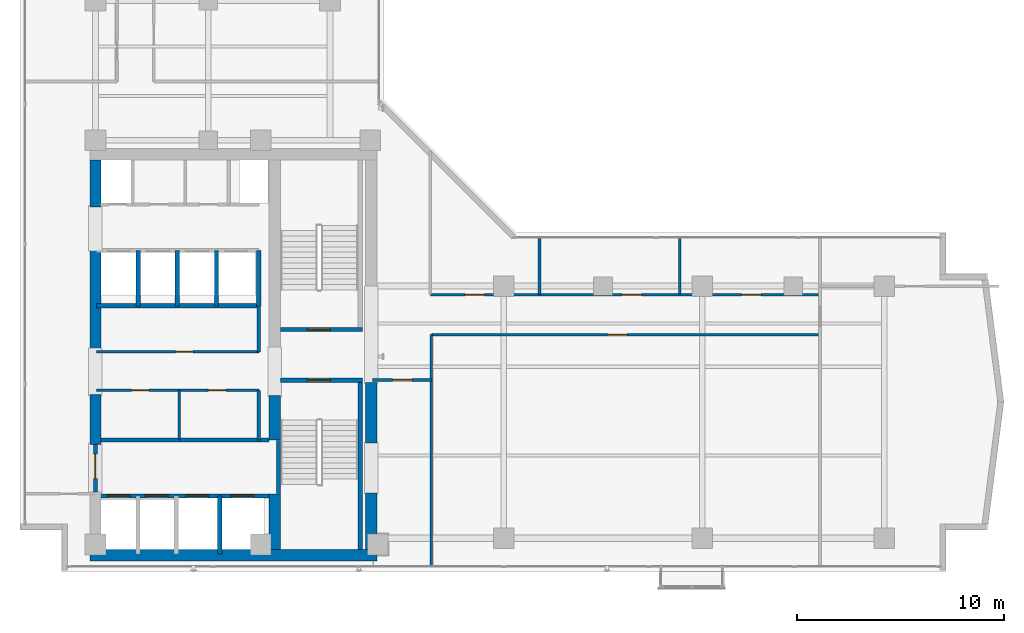
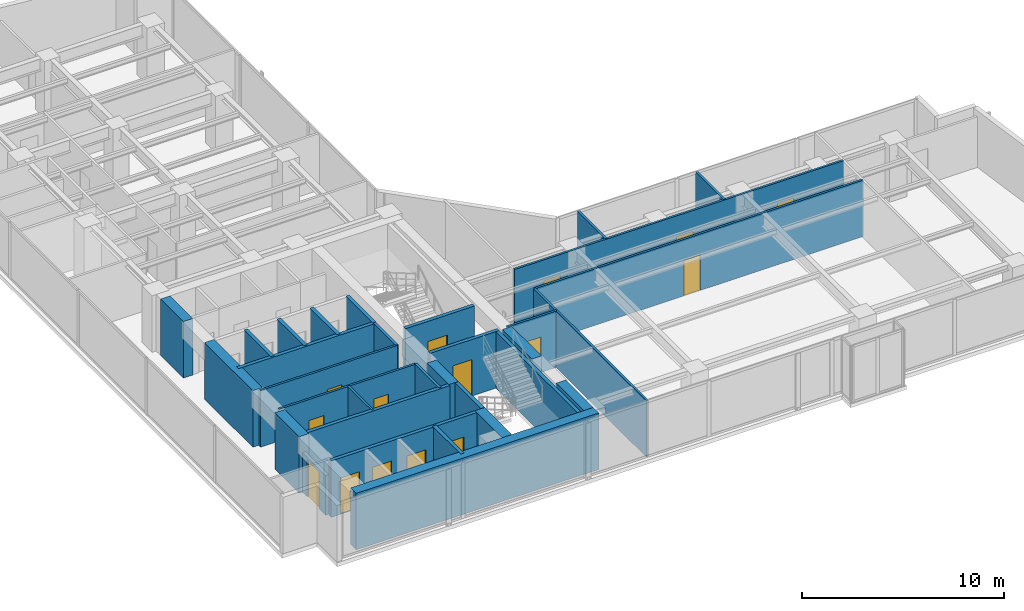
# One storey, part 17 of 24: 32 walls, 15 doors, 15 openings.
"""IFC4 building model written with IfcOpenShell, lengths in metres."""

from ifc_helpers import new_model, si_unit, direction, frame, frame_2d, origin, place, context, subcontext, project, spatial, rectangle, extrude, material, layer, layer_set, type_object, element, fill, save


model = new_model("IFC4")

# Units and contexts
model_context = context("Model", 3, precision=1e-05, world=origin(), true_north=direction((0.0, 1.0)))
body_context = subcontext(model_context, "Body", "Model", "MODEL_VIEW")
ifc_project = project(units=[si_unit("LENGTHUNIT", "METRE"), si_unit("AREAUNIT", "SQUARE_METRE"), si_unit("VOLUMEUNIT", "CUBIC_METRE"), si_unit("PLANEANGLEUNIT", "RADIAN"), si_unit("MASSUNIT", "GRAM", prefix="KILO")], contexts=[model_context])

# Site, building, storey
site_placement = place(None, origin())
site = spatial("IfcSite", under=ifc_project, at=site_placement, CompositionType="ELEMENT")
building_placement = place(site_placement, origin())
building = spatial("IfcBuilding", under=site, at=building_placement, Name="Kolvaren Waterfront Exchange", CompositionType="ELEMENT")
storey_placement = place(building_placement, frame((0.0, 0.0, 253.89990234375)))
storey = spatial("IfcBuildingStorey", under=building, at=storey_placement, Name="L65", CompositionType="ELEMENT", Elevation=253.89990234375)

# Wall, opening, door
ifc_material_1 = material(Name="Precast concrete C40/50", Category="concrete")
ifc_layer_1 = layer(ifc_material_1, 0.199951171875, Name="Precast concrete C40/50")
ifc_layer_set_1 = layer_set([ifc_layer_1], Name="Precast concrete C40/50")
wall_type_1 = type_object("IfcWallType", Name="ARC-FIRE-200", PredefinedType="PARTITIONING", material=ifc_layer_set_1)
wall_1_placement = place(storey_placement, frame((16.39990234375, 12.85009765625, 0.0), z_axis=(0.0, 0.0, 1.0), x_axis=(1.0, 0.0, 0.0)))
wall_1 = element("IfcWall", 1, at=wall_1_placement, inside=storey, type_object=wall_type_1, Name="L65 interior wall PW-L65-ST1-THROAT-S", PredefinedType="PARTITIONING", context=body_context, shape_type="SweptSolid", body=[
    extrude(rectangle(XDim=3.960205078125, YDim=0.199951171875, at=frame_2d((1.97998046875, 0.0))), origin(), (0.0, 0.0, 1.0), 3.420166015625),
])
opening_1_placement = place(wall_1_placement, frame((1.3037109375, 0.0, 0.0)))
opening_1 = element("IfcOpeningElement", 2, at=opening_1_placement, cuts=wall_1, Name="Opening FD2", PredefinedType="OPENING", context=body_context, shape_type="SweptSolid", body=[
    extrude(rectangle(XDim=1.10009765625, YDim=2.199951171875, at=frame_2d((0.550048828125, 1.10009765625))), frame((0.0, 0.10986328125, 0.0), z_axis=(0.0, -1.0, 0.0), x_axis=(1.0, 0.0, 0.0)), (0.0, 0.0, 1.0), 0.219970703125),
])
ifc_material_2 = material(Name="Pressed steel smoke-seal fire door", Category="steel")
door_type_1 = type_object("IfcDoorType", Name="ARC-FD-1100", OperationType="NOTDEFINED", PredefinedType="DOOR", material=ifc_material_2)
door_1_placement = place(opening_1_placement, frame((1.10009765625, 0.0, 0.0), z_axis=(0.0, 0.0, 1.0), x_axis=(-1.0, 0.0, 0.0)))
door_1 = element("IfcDoor", 3, at=door_1_placement, inside=storey, type_object=door_type_1, Name="L65 door DR-L65-ST1-IN (FD2)", OperationType="SINGLE_SWING_LEFT", OverallHeight=2.199951171875, OverallWidth=1.10009765625, PredefinedType="DOOR", context=body_context, shape_type="SweptSolid", body=[
    extrude(rectangle(XDim=1.10009765625, YDim=2.199951171875, at=frame_2d((0.550048828125, 1.10009765625))), frame((0.0, 0.02490234375, 0.0), z_axis=(0.0, -1.0, 0.0), x_axis=(1.0, 0.0, 0.0)), (0.0, 0.0, 1.0), 0.050048828125),
])
fill(opening_1, door_1)

wall_2_placement = place(storey_placement, frame((16.409912109375, 15.300048828125, 0.0), z_axis=(0.0, 0.0, 1.0), x_axis=(1.0, 0.0, 0.0)))
wall_2 = element("IfcWall", 4, at=wall_2_placement, inside=storey, type_object=wall_type_1, Name="L65 interior wall PW-L65-ST2-THROAT-N", PredefinedType="PARTITIONING", context=body_context, shape_type="SweptSolid", body=[
    extrude(rectangle(XDim=3.9501953125, YDim=0.199951171875, at=frame_2d((1.97509765625, 0.0))), origin(), (0.0, 0.0, 1.0), 3.420166015625),
])
opening_2_placement = place(wall_2_placement, frame((1.293701171875, 0.0, 0.0)))
opening_2 = element("IfcOpeningElement", 5, at=opening_2_placement, cuts=wall_2, Name="Opening FD2", PredefinedType="OPENING", context=body_context, shape_type="SweptSolid", body=[
    extrude(rectangle(XDim=1.10009765625, YDim=2.199951171875, at=frame_2d((0.550048828125, 1.10009765625))), frame((0.0, 0.10986328125, 0.0), z_axis=(0.0, -1.0, 0.0), x_axis=(1.0, 0.0, 0.0)), (0.0, 0.0, 1.0), 0.219970703125),
])
door_2_placement = place(opening_2_placement, origin())
door_2 = element("IfcDoor", 6, at=door_2_placement, inside=storey, type_object=door_type_1, Name="L65 door DR-L65-ST2-IN (FD2)", OperationType="SINGLE_SWING_RIGHT", OverallHeight=2.199951171875, OverallWidth=1.10009765625, PredefinedType="DOOR", context=body_context, shape_type="SweptSolid", body=[
    extrude(rectangle(XDim=1.10009765625, YDim=2.199951171875, at=frame_2d((0.550048828125, 1.10009765625))), frame((0.0, 0.02490234375, 0.0), z_axis=(0.0, -1.0, 0.0), x_axis=(1.0, 0.0, 0.0)), (0.0, 0.0, 1.0), 0.050048828125),
])
fill(opening_2, door_2)

# Wall
wall_3_placement = place(storey_placement, frame((7.5, 9.949951171875, 0.0), z_axis=(0.0, 0.0, 1.0), x_axis=(1.0, 0.0, 0.0)))
element("IfcWall", 7, at=wall_3_placement, inside=storey, type_object=wall_type_1, Name="L65 interior wall PW-L65-FF-N", PredefinedType="PARTITIONING", context=body_context, shape_type="SweptSolid", body=[
    extrude(rectangle(XDim=8.35009765625, YDim=0.199951171875, at=frame_2d((4.175048828125, 0.0))), origin(), (0.0, 0.0, 1.0), 3.420166015625),
])

# Wall, opening, door
wall_4_placement = place(storey_placement, frame((7.449951171875, 7.449951171875, 0.0), z_axis=(0.0, 0.0, 1.0), x_axis=(0.0, 1.0, 0.0)))
wall_4 = element("IfcWall", 8, at=wall_4_placement, inside=storey, type_object=wall_type_1, Name="L65 interior wall PW-L65-FF-W-DOOR", PredefinedType="PARTITIONING", context=body_context, shape_type="SweptSolid", body=[
    extrude(rectangle(XDim=2.300048828125, YDim=0.199951171875, at=frame_2d((1.14990234375, 0.0))), origin(), (0.0, 0.0, 1.0), 2.400146484375),
])
opening_3_placement = place(wall_4_placement, frame((0.63330078125, 0.0, 0.0)))
opening_3 = element("IfcOpeningElement", 9, at=opening_3_placement, cuts=wall_4, Name="Opening FD3", PredefinedType="OPENING", context=body_context, shape_type="SweptSolid", body=[
    extrude(rectangle(XDim=1.199951171875, YDim=2.25, at=frame_2d((0.60009765625, 1.125))), frame((0.0, 0.10986328125, 0.0), z_axis=(0.0, -1.0, 0.0), x_axis=(1.0, 0.0, 0.0)), (0.0, 0.0, 1.0), 0.219970703125),
])
ifc_material_3 = material(Name="Pressed steel fire door", Category="steel")
door_type_2 = type_object("IfcDoorType", Name="ARC-FD-1200", OperationType="NOTDEFINED", PredefinedType="DOOR", material=ifc_material_3)
door_3_placement = place(opening_3_placement, frame((1.199951171875, 0.0, 0.0), z_axis=(0.0, 0.0, 1.0), x_axis=(-1.0, 0.0, 0.0)))
door_3 = element("IfcDoor", 10, at=door_3_placement, inside=storey, type_object=door_type_2, Name="L65 door DR-L65-FF-OUT (FD3)", OperationType="SINGLE_SWING_LEFT", OverallHeight=2.25, OverallWidth=1.199951171875, PredefinedType="DOOR", context=body_context, shape_type="SweptSolid", body=[
    extrude(rectangle(XDim=1.199951171875, YDim=2.25, at=frame_2d((0.60009765625, 1.125))), frame((0.0, 0.02490234375, 0.0), z_axis=(0.0, -1.0, 0.0), x_axis=(1.0, 0.0, 0.0)), (0.0, 0.0, 1.0), 0.050048828125),
])
fill(opening_3, door_3)

# Wall, openings, doors
ifc_material_4 = material(Name="Acoustic gypsum steel stud", Category="steel")
ifc_layer_2 = layer(ifc_material_4, 0.125, Name="Acoustic gypsum steel stud")
ifc_layer_set_2 = layer_set([ifc_layer_2], Name="Acoustic gypsum steel stud")
wall_type_2 = type_object("IfcWallType", Name="ARC-PART-125", PredefinedType="PARTITIONING", material=ifc_layer_set_2)
wall_5_placement = place(storey_placement, frame((7.5, 12.360107421875, 0.0), z_axis=(0.0, 0.0, 1.0), x_axis=(1.0, 0.0, 0.0)))
wall_5 = element("IfcWall", 11, at=wall_5_placement, inside=storey, type_object=wall_type_2, Name="L65 interior wall PW-L65-REC-HI-S", PredefinedType="PARTITIONING", context=body_context, shape_type="SweptSolid", body=[
    extrude(rectangle(XDim=7.85009765625, YDim=0.125, at=frame_2d((3.925048828125, 0.0))), origin(), (0.0, 0.0, 1.0), 3.420166015625),
])
opening_4_placement = place(wall_5_placement, frame((1.699951171875, 0.0, 0.0)))
opening_4 = element("IfcOpeningElement", 12, at=opening_4_placement, cuts=wall_5, Name="Opening D01", PredefinedType="OPENING", context=body_context, shape_type="SweptSolid", body=[
    extrude(rectangle(XDim=0.85009765625, YDim=2.14990234375, at=frame_2d((0.425048828125, 1.074951171875))), frame((0.0, 0.072509765625, 0.0), z_axis=(0.0, -1.0, 0.0), x_axis=(1.0, 0.0, 0.0)), (0.0, 0.0, 1.0), 0.14501953125),
])
opening_5_placement = place(wall_5_placement, frame((5.41259765625, 0.0, 0.0)))
opening_5 = element("IfcOpeningElement", 13, at=opening_5_placement, cuts=wall_5, Name="Opening D01", PredefinedType="OPENING", context=body_context, shape_type="SweptSolid", body=[
    extrude(rectangle(XDim=0.85009765625, YDim=2.14990234375, at=frame_2d((0.425048828125, 1.074951171875))), frame((0.0, 0.072509765625, 0.0), z_axis=(0.0, -1.0, 0.0), x_axis=(1.0, 0.0, 0.0)), (0.0, 0.0, 1.0), 0.14501953125),
])
ifc_material_5 = material(Name="Oak veneer timber leaf", Category="wood")
door_type_3 = type_object("IfcDoorType", Name="ARC-DR-900", OperationType="NOTDEFINED", PredefinedType="DOOR", material=ifc_material_5)
door_4_placement = place(opening_4_placement, origin())
door_4 = element("IfcDoor", 14, at=door_4_placement, inside=storey, type_object=door_type_3, Name="L65 door DR-L65-REC-HI-D1 (D01)", OperationType="SINGLE_SWING_RIGHT", OverallHeight=2.14990234375, OverallWidth=0.85009765625, PredefinedType="DOOR", context=body_context, shape_type="SweptSolid", body=[
    extrude(rectangle(XDim=0.85009765625, YDim=2.14990234375, at=frame_2d((0.425048828125, 1.074951171875))), frame((0.0, 0.02490234375, 0.0), z_axis=(0.0, -1.0, 0.0), x_axis=(1.0, 0.0, 0.0)), (0.0, 0.0, 1.0), 0.050048828125),
])
fill(opening_4, door_4)
door_5_placement = place(opening_5_placement, origin())
door_5 = element("IfcDoor", 15, at=door_5_placement, inside=storey, type_object=door_type_3, Name="L65 door DR-L65-REC-HI-D2 (D01)", OperationType="SINGLE_SWING_LEFT", OverallHeight=2.14990234375, OverallWidth=0.85009765625, PredefinedType="DOOR", context=body_context, shape_type="SweptSolid", body=[
    extrude(rectangle(XDim=0.85009765625, YDim=2.14990234375, at=frame_2d((0.425048828125, 1.074951171875))), frame((0.0, 0.02490234375, 0.0), z_axis=(0.0, -1.0, 0.0), x_axis=(1.0, 0.0, 0.0)), (0.0, 0.0, 1.0), 0.050048828125),
])
fill(opening_5, door_5)

# Wall, opening, door
wall_6_placement = place(storey_placement, frame((7.5, 14.219970703125, 0.0), z_axis=(0.0, 0.0, 1.0), x_axis=(1.0, 0.0, 0.0)))
wall_6 = element("IfcWall", 16, at=wall_6_placement, inside=storey, type_object=wall_type_2, Name="L65 interior wall PW-L65-REC-HI-N", PredefinedType="PARTITIONING", context=body_context, shape_type="SweptSolid", body=[
    extrude(rectangle(XDim=7.85009765625, YDim=0.125, at=frame_2d((3.925048828125, 0.0))), origin(), (0.0, 0.0, 1.0), 3.420166015625),
])
opening_6_placement = place(wall_6_placement, frame((3.824951171875, 0.0, 0.0)))
opening_6 = element("IfcOpeningElement", 17, at=opening_6_placement, cuts=wall_6, Name="Opening D01", PredefinedType="OPENING", context=body_context, shape_type="SweptSolid", body=[
    extrude(rectangle(XDim=0.85009765625, YDim=2.14990234375, at=frame_2d((0.425048828125, 1.074951171875))), frame((0.0, 0.072509765625, 0.0), z_axis=(0.0, -1.0, 0.0), x_axis=(1.0, 0.0, 0.0)), (0.0, 0.0, 1.0), 0.14501953125),
])
door_6_placement = place(opening_6_placement, origin())
door_6 = element("IfcDoor", 18, at=door_6_placement, inside=storey, type_object=door_type_3, Name="L65 door DR-L65-REC-HI-D3 (D01)", OperationType="SINGLE_SWING_RIGHT", OverallHeight=2.14990234375, OverallWidth=0.85009765625, PredefinedType="DOOR", context=body_context, shape_type="SweptSolid", body=[
    extrude(rectangle(XDim=0.85009765625, YDim=2.14990234375, at=frame_2d((0.425048828125, 1.074951171875))), frame((0.0, 0.02490234375, 0.0), z_axis=(0.0, -1.0, 0.0), x_axis=(1.0, 0.0, 0.0)), (0.0, 0.0, 1.0), 0.050048828125),
])
fill(opening_6, door_6)

# Wall
wall_7_placement = place(storey_placement, frame((11.5, 9.949951171875, 0.0), z_axis=(0.0, 0.0, 1.0), x_axis=(0.0, 1.0, 0.0)))
element("IfcWall", 19, at=wall_7_placement, inside=storey, type_object=wall_type_2, Name="L65 interior wall PW-L65-REC-HI-MS1", PredefinedType="PARTITIONING", context=body_context, shape_type="SweptSolid", body=[
    extrude(rectangle(XDim=2.41015625, YDim=0.125, at=frame_2d((1.205078125, 0.0))), origin(), (0.0, 0.0, 1.0), 3.420166015625),
])

# Wall, opening, door
wall_8_placement = place(storey_placement, frame((20.85009765625, 12.860107421875, 0.0), z_axis=(0.0, 0.0, 1.0), x_axis=(1.0, 0.0, 0.0)))
wall_8 = element("IfcWall", 20, at=wall_8_placement, inside=storey, type_object=wall_type_2, Name="L65 interior wall PW-L65-SWST3-N", PredefinedType="PARTITIONING", context=body_context, shape_type="SweptSolid", body=[
    extrude(rectangle(XDim=2.849853515625, YDim=0.125, at=frame_2d((1.4248046875, 0.0))), origin(), (0.0, 0.0, 1.0), 3.420166015625),
])
opening_7_placement = place(wall_8_placement, frame((0.971435546875, 0.0, 0.0)))
opening_7 = element("IfcOpeningElement", 21, at=opening_7_placement, cuts=wall_8, Name="Opening D02", PredefinedType="OPENING", context=body_context, shape_type="SweptSolid", body=[
    extrude(rectangle(XDim=0.949951171875, YDim=2.14990234375, at=frame_2d((0.47509765625, 1.074951171875))), frame((0.0, 0.072509765625, 0.0), z_axis=(0.0, -1.0, 0.0), x_axis=(1.0, 0.0, 0.0)), (0.0, 0.0, 1.0), 0.14501953125),
])
ifc_material_6 = material(Name="Oak veneer acoustic timber", Category="wood")
door_type_4 = type_object("IfcDoorType", Name="ARC-DR-950", OperationType="NOTDEFINED", PredefinedType="DOOR", material=ifc_material_6)
door_7_placement = place(opening_7_placement, origin())
door_7 = element("IfcDoor", 22, at=door_7_placement, inside=storey, type_object=door_type_4, Name="L65 door DR-L65-SWST3-D (D02)", OperationType="SINGLE_SWING_LEFT", OverallHeight=2.14990234375, OverallWidth=0.949951171875, PredefinedType="DOOR", context=body_context, shape_type="SweptSolid", body=[
    extrude(rectangle(XDim=0.949951171875, YDim=2.14990234375, at=frame_2d((0.47509765625, 1.074951171875))), frame((0.0, 0.02490234375, 0.0), z_axis=(0.0, -1.0, 0.0), x_axis=(1.0, 0.0, 0.0)), (0.0, 0.0, 1.0), 0.050048828125),
])
fill(opening_7, door_7)

# Wall
wall_9_placement = place(storey_placement, frame((23.699951171875, 3.840087890625, 0.0), z_axis=(0.0, 0.0, 1.0), x_axis=(0.0, 1.0, 0.0)))
element("IfcWall", 23, at=wall_9_placement, inside=storey, type_object=wall_type_2, Name="L65 interior wall PW-L65-ES-W0", PredefinedType="PARTITIONING", context=body_context, shape_type="SweptSolid", body=[
    extrude(rectangle(XDim=11.2099609375, YDim=0.125, at=frame_2d((5.60498046875, 0.0))), origin(), (0.0, 0.0, 1.0), 3.420166015625),
])

# Wall, opening, door
wall_10_placement = place(storey_placement, frame((23.699951171875, 15.050048828125, 0.0), z_axis=(0.0, 0.0, 1.0), x_axis=(1.0, 0.0, 0.0)))
wall_10 = element("IfcWall", 24, at=wall_10_placement, inside=storey, type_object=wall_type_2, Name="L65 interior wall PW-L65-ES-CORR", PredefinedType="PARTITIONING", context=body_context, shape_type="SweptSolid", body=[
    extrude(rectangle(XDim=18.800048828125, YDim=0.125, at=frame_2d((9.39990234375, 0.0))), origin(), (0.0, 0.0, 1.0), 3.420166015625),
])
opening_8_placement = place(wall_10_placement, frame((8.52001953125, 0.0, 0.0)))
opening_8 = element("IfcOpeningElement", 25, at=opening_8_placement, cuts=wall_10, Name="Opening D02", PredefinedType="OPENING", context=body_context, shape_type="SweptSolid", body=[
    extrude(rectangle(XDim=0.949951171875, YDim=2.14990234375, at=frame_2d((0.47509765625, 1.074951171875))), frame((0.0, 0.072509765625, 0.0), z_axis=(0.0, -1.0, 0.0), x_axis=(1.0, 0.0, 0.0)), (0.0, 0.0, 1.0), 0.14501953125),
])
door_8_placement = place(opening_8_placement, origin())
door_8 = element("IfcDoor", 26, at=door_8_placement, inside=storey, type_object=door_type_4, Name="L65 door DR-L65-ES-D-1 (D02)", OperationType="SINGLE_SWING_RIGHT", OverallHeight=2.14990234375, OverallWidth=0.949951171875, PredefinedType="DOOR", context=body_context, shape_type="SweptSolid", body=[
    extrude(rectangle(XDim=0.949951171875, YDim=2.14990234375, at=frame_2d((0.47509765625, 1.074951171875))), frame((0.0, 0.02490234375, 0.0), z_axis=(0.0, -1.0, 0.0), x_axis=(1.0, 0.0, 0.0)), (0.0, 0.0, 1.0), 0.050048828125),
])
fill(opening_8, door_8)

# Wall, openings, doors
wall_11_placement = place(storey_placement, frame((23.64990234375, 16.989990234375, 0.0), z_axis=(0.0, 0.0, 1.0), x_axis=(1.0, 0.0, 0.0)))
wall_11 = element("IfcWall", 27, at=wall_11_placement, inside=storey, type_object=wall_type_2, Name="L65 interior wall PW-L65-EN-CORR", PredefinedType="PARTITIONING", context=body_context, shape_type="SweptSolid", body=[
    extrude(rectangle(XDim=18.85009765625, YDim=0.125, at=frame_2d((9.425048828125, 0.0))), origin(), (0.0, 0.0, 1.0), 3.420166015625),
])
opening_9_placement = place(wall_11_placement, frame((1.6708984375, 0.0, 0.0)))
opening_9 = element("IfcOpeningElement", 28, at=opening_9_placement, cuts=wall_11, Name="Opening D02", PredefinedType="OPENING", context=body_context, shape_type="SweptSolid", body=[
    extrude(rectangle(XDim=0.949951171875, YDim=2.14990234375, at=frame_2d((0.47509765625, 1.074951171875))), frame((0.0, 0.072509765625, 0.0), z_axis=(0.0, -1.0, 0.0), x_axis=(1.0, 0.0, 0.0)), (0.0, 0.0, 1.0), 0.14501953125),
])
opening_10_placement = place(wall_11_placement, frame((9.27294921875, 0.0, 0.0)))
opening_10 = element("IfcOpeningElement", 29, at=opening_10_placement, cuts=wall_11, Name="Opening D02", PredefinedType="OPENING", context=body_context, shape_type="SweptSolid", body=[
    extrude(rectangle(XDim=0.949951171875, YDim=2.14990234375, at=frame_2d((0.47509765625, 1.074951171875))), frame((0.0, 0.072509765625, 0.0), z_axis=(0.0, -1.0, 0.0), x_axis=(1.0, 0.0, 0.0)), (0.0, 0.0, 1.0), 0.14501953125),
])
opening_11_placement = place(wall_11_placement, frame((15.052001953125, 0.0, 0.0)))
opening_11 = element("IfcOpeningElement", 30, at=opening_11_placement, cuts=wall_11, Name="Opening D02", PredefinedType="OPENING", context=body_context, shape_type="SweptSolid", body=[
    extrude(rectangle(XDim=0.949951171875, YDim=2.14990234375, at=frame_2d((0.47509765625, 1.074951171875))), frame((0.0, 0.072509765625, 0.0), z_axis=(0.0, -1.0, 0.0), x_axis=(1.0, 0.0, 0.0)), (0.0, 0.0, 1.0), 0.14501953125),
])
door_9_placement = place(opening_9_placement, origin())
door_9 = element("IfcDoor", 31, at=door_9_placement, inside=storey, type_object=door_type_4, Name="L65 door DR-L65-EN-D-1 (D02)", OperationType="SINGLE_SWING_LEFT", OverallHeight=2.14990234375, OverallWidth=0.949951171875, PredefinedType="DOOR", context=body_context, shape_type="SweptSolid", body=[
    extrude(rectangle(XDim=0.949951171875, YDim=2.14990234375, at=frame_2d((0.47509765625, 1.074951171875))), frame((0.0, 0.02490234375, 0.0), z_axis=(0.0, -1.0, 0.0), x_axis=(1.0, 0.0, 0.0)), (0.0, 0.0, 1.0), 0.050048828125),
])
fill(opening_9, door_9)
door_10_placement = place(opening_10_placement, origin())
door_10 = element("IfcDoor", 32, at=door_10_placement, inside=storey, type_object=door_type_4, Name="L65 door DR-L65-EN-D-2 (D02)", OperationType="SINGLE_SWING_RIGHT", OverallHeight=2.14990234375, OverallWidth=0.949951171875, PredefinedType="DOOR", context=body_context, shape_type="SweptSolid", body=[
    extrude(rectangle(XDim=0.949951171875, YDim=2.14990234375, at=frame_2d((0.47509765625, 1.074951171875))), frame((0.0, 0.02490234375, 0.0), z_axis=(0.0, -1.0, 0.0), x_axis=(1.0, 0.0, 0.0)), (0.0, 0.0, 1.0), 0.050048828125),
])
fill(opening_10, door_10)
door_11_placement = place(opening_11_placement, origin())
door_11 = element("IfcDoor", 33, at=door_11_placement, inside=storey, type_object=door_type_4, Name="L65 door DR-L65-EN-D-3 (D02)", OperationType="SINGLE_SWING_LEFT", OverallHeight=2.14990234375, OverallWidth=0.949951171875, PredefinedType="DOOR", context=body_context, shape_type="SweptSolid", body=[
    extrude(rectangle(XDim=0.949951171875, YDim=2.14990234375, at=frame_2d((0.47509765625, 1.074951171875))), frame((0.0, 0.02490234375, 0.0), z_axis=(0.0, -1.0, 0.0), x_axis=(1.0, 0.0, 0.0)), (0.0, 0.0, 1.0), 0.050048828125),
])
fill(opening_11, door_11)

# Walls
for number, where, z_axis, x_axis, name in (
    (34, (28.929931640625, 16.989990234375, 0.0), (0.0, 0.0, 1.0), (0.0, 1.0, 0.0), "L65 interior wall PW-L65-EN-DIV-1"),
    (35, (35.7099609375, 16.989990234375, 0.0), (0.0, 0.0, 1.0), (0.0, 1.0, 0.0), "L65 interior wall PW-L65-EN-DIV-2"),
):
    element("IfcWall", number, at=place(storey_placement, frame(where, z_axis=z_axis, x_axis=x_axis)), inside=storey, type_object=wall_type_2, Name=name, PredefinedType="PARTITIONING", context=body_context, shape_type="SweptSolid", body=[
        extrude(rectangle(XDim=2.77001953125, YDim=0.125, at=frame_2d((1.385009765625, 0.0))), origin(), (0.0, 0.0, 1.0), 3.420166015625),
    ])
ifc_material_7 = material(Name="Gypsum fireboard steel stud", Category="steel")
ifc_layer_3 = layer(ifc_material_7, 0.14990234375, Name="Gypsum fireboard steel stud")
ifc_layer_set_3 = layer_set([ifc_layer_3], Name="Gypsum fireboard steel stud")
wall_type_3 = type_object("IfcWallType", Name="ARC-PART-150", PredefinedType="PARTITIONING", material=ifc_layer_set_3)
wall_12_placement = place(storey_placement, frame((15.35009765625, 9.949951171875, 0.0), z_axis=(0.0, 0.0, 1.0), x_axis=(0.0, 1.0, 0.0)))
element("IfcWall", 36, at=wall_12_placement, inside=storey, type_object=wall_type_3, Name="L65 interior wall PW-L65-REC-HI-E1", PredefinedType="PARTITIONING", context=body_context, shape_type="SweptSolid", body=[
    extrude(rectangle(XDim=2.41015625, YDim=0.14990234375, at=frame_2d((1.205078125, 0.0))), origin(), (0.0, 0.0, 1.0), 3.420166015625),
])
wall_13_placement = place(storey_placement, frame((15.35009765625, 14.219970703125, 0.0), z_axis=(0.0, 0.0, 1.0), x_axis=(0.0, 1.0, 0.0)))
element("IfcWall", 37, at=wall_13_placement, inside=storey, type_object=wall_type_3, Name="L65 interior wall PW-L65-REC-HI-E2", PredefinedType="PARTITIONING", context=body_context, shape_type="SweptSolid", body=[
    extrude(rectangle(XDim=2.22998046875, YDim=0.14990234375, at=frame_2d((1.114990234375, 0.0))), origin(), (0.0, 0.0, 1.0), 3.420166015625),
])
ifc_material_8 = material(Name="Concrete C40/50", Category="concrete")
ifc_layer_4 = layer(ifc_material_8, 0.199951171875, Name="Concrete C40/50")
ifc_layer_set_4 = layer_set([ifc_layer_4], Name="Concrete C40/50")
wall_type_4 = type_object("IfcWallType", Name="ARC-SHAFT-200", PredefinedType="PARTITIONING", material=ifc_layer_set_4)
wall_14_placement = place(storey_placement, frame((16.300048828125, 7.360107421875, 0.0), z_axis=(0.0, 0.0, 1.0), x_axis=(0.0, 1.0, 0.0)))
element("IfcWall", 38, at=wall_14_placement, inside=storey, type_object=wall_type_4, Name="L65 structural stairwell wall PW-L65-ST1-W", PredefinedType="SHEAR", context=body_context, shape_type="SweptSolid", body=[
    extrude(rectangle(XDim=2.579833984375, YDim=0.199951171875, at=frame_2d((1.2900390625, 0.0))), origin(), (0.0, 0.0, 1.0), 3.420166015625),
])
wall_15_placement = place(storey_placement, frame((20.260009765625, 4.659912109375, 0.0), z_axis=(0.0, 0.0, 1.0), x_axis=(0.0, 1.0, 0.0)))
element("IfcWall", 39, at=wall_15_placement, inside=storey, type_object=wall_type_4, Name="L65 structural stairwell wall PW-L65-ST1-E", PredefinedType="SHEAR", context=body_context, shape_type="SweptSolid", body=[
    extrude(rectangle(XDim=8.090087890625, YDim=0.199951171875, at=frame_2d((4.044921875, 0.0))), origin(), (0.0, 0.0, 1.0), 3.420166015625),
])

# Wall, openings, doors
wall_16_placement = place(storey_placement, frame((7.5, 7.25, 0.0), z_axis=(0.0, 0.0, 1.0), x_axis=(1.0, 0.0, 0.0)))
wall_16 = element("IfcWall", 40, at=wall_16_placement, inside=storey, type_object=wall_type_4, Name="L65 interior wall PW-L65-FF-S", PredefinedType="PARTITIONING", context=body_context, shape_type="SweptSolid", body=[
    extrude(rectangle(XDim=8.35009765625, YDim=0.199951171875, at=frame_2d((4.175048828125, 0.0))), origin(), (0.0, 0.0, 1.0), 3.420166015625),
])
opening_12_placement = place(wall_16_placement, frame((0.530029296875, 0.0, 0.0)))
opening_12 = element("IfcOpeningElement", 41, at=opening_12_placement, cuts=wall_16, Name="Opening LD1", PredefinedType="OPENING", context=body_context, shape_type="SweptSolid", body=[
    extrude(rectangle(XDim=1.10009765625, YDim=2.199951171875, at=frame_2d((0.550048828125, 1.10009765625))), frame((0.0, 0.10986328125, 0.0), z_axis=(0.0, -1.0, 0.0), x_axis=(1.0, 0.0, 0.0)), (0.0, 0.0, 1.0), 0.219970703125),
])
opening_13_placement = place(wall_16_placement, frame((2.3701171875, 0.0, 0.0)))
opening_13 = element("IfcOpeningElement", 42, at=opening_13_placement, cuts=wall_16, Name="Opening LD1", PredefinedType="OPENING", context=body_context, shape_type="SweptSolid", body=[
    extrude(rectangle(XDim=1.10009765625, YDim=2.199951171875, at=frame_2d((0.550048828125, 1.10009765625))), frame((0.0, 0.10986328125, 0.0), z_axis=(0.0, -1.0, 0.0), x_axis=(1.0, 0.0, 0.0)), (0.0, 0.0, 1.0), 0.219970703125),
])
opening_14_placement = place(wall_16_placement, frame((4.330078125, 0.0, 0.0)))
opening_14 = element("IfcOpeningElement", 43, at=opening_14_placement, cuts=wall_16, Name="Opening LD1", PredefinedType="OPENING", context=body_context, shape_type="SweptSolid", body=[
    extrude(rectangle(XDim=1.10009765625, YDim=2.199951171875, at=frame_2d((0.550048828125, 1.10009765625))), frame((0.0, 0.10986328125, 0.0), z_axis=(0.0, -1.0, 0.0), x_axis=(1.0, 0.0, 0.0)), (0.0, 0.0, 1.0), 0.219970703125),
])
opening_15_placement = place(wall_16_placement, frame((6.5, 0.0, 0.0)))
opening_15 = element("IfcOpeningElement", 44, at=opening_15_placement, cuts=wall_16, Name="Opening LD1", PredefinedType="OPENING", context=body_context, shape_type="SweptSolid", body=[
    extrude(rectangle(XDim=1.10009765625, YDim=2.199951171875, at=frame_2d((0.550048828125, 1.10009765625))), frame((0.0, 0.10986328125, 0.0), z_axis=(0.0, -1.0, 0.0), x_axis=(1.0, 0.0, 0.0)), (0.0, 0.0, 1.0), 0.219970703125),
])
ifc_material_9 = material(Name="Stainless steel sliding landing door", Category="steel")
door_type_5 = type_object("IfcDoorType", Name="ARC-LD-FF", OperationType="SLIDING_TO_LEFT", PredefinedType="DOOR", material=ifc_material_9)
door_12_placement = place(opening_12_placement, origin())
door_12 = element("IfcDoor", 45, at=door_12_placement, inside=storey, type_object=door_type_5, Name="L65 door LD-L65-FFL1 (LD1)", OperationType="SLIDING_TO_LEFT", OverallHeight=2.199951171875, OverallWidth=1.10009765625, PredefinedType="DOOR", context=body_context, shape_type="SweptSolid", body=[
    extrude(rectangle(XDim=1.10009765625, YDim=2.199951171875, at=frame_2d((0.550048828125, 1.10009765625))), frame((0.0, 0.02490234375, 0.0), z_axis=(0.0, -1.0, 0.0), x_axis=(1.0, 0.0, 0.0)), (0.0, 0.0, 1.0), 0.050048828125),
])
fill(opening_12, door_12)
door_13_placement = place(opening_13_placement, origin())
door_13 = element("IfcDoor", 46, at=door_13_placement, inside=storey, type_object=door_type_5, Name="L65 door LD-L65-FFL2 (LD1)", OperationType="SLIDING_TO_LEFT", OverallHeight=2.199951171875, OverallWidth=1.10009765625, PredefinedType="DOOR", context=body_context, shape_type="SweptSolid", body=[
    extrude(rectangle(XDim=1.10009765625, YDim=2.199951171875, at=frame_2d((0.550048828125, 1.10009765625))), frame((0.0, 0.02490234375, 0.0), z_axis=(0.0, -1.0, 0.0), x_axis=(1.0, 0.0, 0.0)), (0.0, 0.0, 1.0), 0.050048828125),
])
fill(opening_13, door_13)
door_14_placement = place(opening_14_placement, origin())
door_14 = element("IfcDoor", 47, at=door_14_placement, inside=storey, type_object=door_type_5, Name="L65 door LD-L65-GL1 (LD1)", OperationType="SLIDING_TO_LEFT", OverallHeight=2.199951171875, OverallWidth=1.10009765625, PredefinedType="DOOR", context=body_context, shape_type="SweptSolid", body=[
    extrude(rectangle(XDim=1.10009765625, YDim=2.199951171875, at=frame_2d((0.550048828125, 1.10009765625))), frame((0.0, 0.02490234375, 0.0), z_axis=(0.0, -1.0, 0.0), x_axis=(1.0, 0.0, 0.0)), (0.0, 0.0, 1.0), 0.050048828125),
])
fill(opening_14, door_14)
door_15_placement = place(opening_15_placement, origin())
door_15 = element("IfcDoor", 48, at=door_15_placement, inside=storey, type_object=door_type_5, Name="L65 door LD-L65-GL2 (LD1)", OperationType="SLIDING_TO_LEFT", OverallHeight=2.199951171875, OverallWidth=1.10009765625, PredefinedType="DOOR", context=body_context, shape_type="SweptSolid", body=[
    extrude(rectangle(XDim=1.10009765625, YDim=2.199951171875, at=frame_2d((0.550048828125, 1.10009765625))), frame((0.0, 0.02490234375, 0.0), z_axis=(0.0, -1.0, 0.0), x_axis=(1.0, 0.0, 0.0)), (0.0, 0.0, 1.0), 0.050048828125),
])
fill(opening_15, door_15)

# Walls
wall_17_placement = place(storey_placement, frame((13.4599609375, 4.449951171875, 0.0), z_axis=(0.0, 0.0, 1.0), x_axis=(0.0, 1.0, 0.0)))
element("IfcWall", 49, at=wall_17_placement, inside=storey, type_object=wall_type_4, Name="L65 interior wall PW-L65-SH1-DIV-134", PredefinedType="PARTITIONING", context=body_context, shape_type="SweptSolid", body=[
    extrude(rectangle(XDim=2.800048828125, YDim=0.199951171875, at=frame_2d((1.39990234375, 0.0))), origin(), (0.0, 0.0, 1.0), 3.420166015625),
])
wall_18_placement = place(storey_placement, frame((7.5, 16.449951171875, 0.0), z_axis=(0.0, 0.0, 1.0), x_axis=(1.0, 0.0, 0.0)))
element("IfcWall", 50, at=wall_18_placement, inside=storey, type_object=wall_type_4, Name="L65 interior wall PW-L65-REC-PM-N", PredefinedType="PARTITIONING", context=body_context, shape_type="SweptSolid", body=[
    extrude(rectangle(XDim=7.85009765625, YDim=0.199951171875, at=frame_2d((3.925048828125, 0.0))), origin(), (0.0, 0.0, 1.0), 3.420166015625),
])
for number, where, z_axis, x_axis, name in (
    (51, (15.35009765625, 16.449951171875, 0.0), (0.0, 0.0, 1.0), (0.0, 1.0, 0.0), "L65 interior wall PW-L65-PH-E"),
    (52, (9.52001953125, 16.449951171875, 0.0), (0.0, 0.0, 1.0), (0.0, 1.0, 0.0), "L65 interior wall PW-L65-SH4-DIV-95"),
    (53, (11.409912109375, 16.449951171875, 0.0), (0.0, 0.0, 1.0), (0.0, 1.0, 0.0), "L65 interior wall PW-L65-SH4-DIV-114"),
    (54, (13.300048828125, 16.449951171875, 0.0), (0.0, 0.0, 1.0), (0.0, 1.0, 0.0), "L65 interior wall PW-L65-SH4-DIV-133"),
):
    element("IfcWall", number, at=place(storey_placement, frame(where, z_axis=z_axis, x_axis=x_axis)), inside=storey, type_object=wall_type_4, Name=name, PredefinedType="PARTITIONING", context=body_context, shape_type="SweptSolid", body=[
        extrude(rectangle(XDim=2.670166015625, YDim=0.199951171875, at=frame_2d((1.3349609375, 0.0))), origin(), (0.0, 0.0, 1.0), 3.420166015625),
    ])
ifc_material_10 = material(Name="Concrete C50/60", Category="concrete")
ifc_layer_5 = layer(ifc_material_10, 0.550048828125, Name="Concrete C50/60")
ifc_layer_set_5 = layer_set([ifc_layer_5], Name="Concrete C50/60")
wall_type_5 = type_object("IfcWallType", Name="STR-CWALL-550", PredefinedType="SHEAR", material=ifc_layer_set_5)
wall_19_placement = place(storey_placement, frame((7.175048828125, 4.375, 0.0), z_axis=(0.0, 0.0, 1.0), x_axis=(1.0, 0.0, 0.0)))
element("IfcWall", 55, at=wall_19_placement, inside=storey, type_object=wall_type_5, Name="L65 rear-core shear wall S", PredefinedType="SHEAR", context=body_context, shape_type="SweptSolid", body=[
    extrude(rectangle(XDim=13.89990234375, YDim=0.550048828125, at=frame_2d((6.949951171875, 0.0))), origin(), (0.0, 0.0, 1.0), 3.420166015625),
])
wall_20_placement = place(storey_placement, frame((7.449951171875, 9.75, 0.0), z_axis=(0.0, 0.0, 1.0), x_axis=(0.0, 1.0, 0.0)))
element("IfcWall", 56, at=wall_20_placement, inside=storey, type_object=wall_type_5, Name="L65 rear-core shear wall W2A", PredefinedType="SHEAR", context=body_context, shape_type="SweptSolid", body=[
    extrude(rectangle(XDim=2.39990234375, YDim=0.550048828125, at=frame_2d((1.199951171875, 0.0))), origin(), (0.0, 0.0, 1.0), 3.420166015625),
])
wall_21_placement = place(storey_placement, frame((7.449951171875, 14.35009765625, 0.0), z_axis=(0.0, 0.0, 1.0), x_axis=(0.0, 1.0, 0.0)))
element("IfcWall", 57, at=wall_21_placement, inside=storey, type_object=wall_type_5, Name="L65 rear-core shear wall W2B", PredefinedType="SHEAR", context=body_context, shape_type="SweptSolid", body=[
    extrude(rectangle(XDim=4.809814453125, YDim=0.550048828125, at=frame_2d((2.40478515625, 0.0))), origin(), (0.0, 0.0, 1.0), 3.420166015625),
])
wall_22_placement = place(storey_placement, frame((7.449951171875, 21.239990234375, 0.0), z_axis=(0.0, 0.0, 1.0), x_axis=(0.0, 1.0, 0.0)))
element("IfcWall", 58, at=wall_22_placement, inside=storey, type_object=wall_type_5, Name="L65 rear-core shear wall W3", PredefinedType="SHEAR", context=body_context, shape_type="SweptSolid", body=[
    extrude(rectangle(XDim=2.260009765625, YDim=0.550048828125, at=frame_2d((1.1298828125, 0.0))), origin(), (0.0, 0.0, 1.0), 3.420166015625),
])
wall_23_placement = place(storey_placement, frame((20.800048828125, 4.64990234375, 0.0), z_axis=(0.0, 0.0, 1.0), x_axis=(0.0, 1.0, 0.0)))
element("IfcWall", 59, at=wall_23_placement, inside=storey, type_object=wall_type_5, Name="L65 rear-core shear wall E1", PredefinedType="SHEAR", context=body_context, shape_type="SweptSolid", body=[
    extrude(rectangle(XDim=2.75, YDim=0.550048828125, at=frame_2d((1.375, 0.0))), origin(), (0.0, 0.0, 1.0), 3.420166015625),
])
wall_24_placement = place(storey_placement, frame((20.800048828125, 9.800048828125, 0.0), z_axis=(0.0, 0.0, 1.0), x_axis=(0.0, 1.0, 0.0)))
element("IfcWall", 60, at=wall_24_placement, inside=storey, type_object=wall_type_5, Name="L65 rear-core shear wall E2", PredefinedType="SHEAR", context=body_context, shape_type="SweptSolid", body=[
    extrude(rectangle(XDim=2.949951171875, YDim=0.550048828125, at=frame_2d((1.47509765625, 0.0))), origin(), (0.0, 0.0, 1.0), 3.420166015625),
])
wall_25_placement = place(storey_placement, frame((16.125, 4.64990234375, 0.0), z_axis=(0.0, 0.0, 1.0), x_axis=(0.0, 1.0, 0.0)))
element("IfcWall", 61, at=wall_25_placement, inside=storey, type_object=wall_type_5, Name="L65 rear-core shear wall M1", PredefinedType="SHEAR", context=body_context, shape_type="SweptSolid", body=[
    extrude(rectangle(XDim=2.7001953125, YDim=0.550048828125, at=frame_2d((1.35009765625, 0.0))), origin(), (0.0, 0.0, 1.0), 3.420166015625),
])
wall_26_placement = place(storey_placement, frame((16.125, 9.949951171875, 0.0), z_axis=(0.0, 0.0, 1.0), x_axis=(0.0, 1.0, 0.0)))
element("IfcWall", 62, at=wall_26_placement, inside=storey, type_object=wall_type_5, Name="L65 rear-core shear wall M2", PredefinedType="SHEAR", context=body_context, shape_type="SweptSolid", body=[
    extrude(rectangle(XDim=2.150146484375, YDim=0.550048828125, at=frame_2d((1.0751953125, 0.0))), origin(), (0.0, 0.0, 1.0), 3.420166015625),
])

save(model, "model.ifc")
